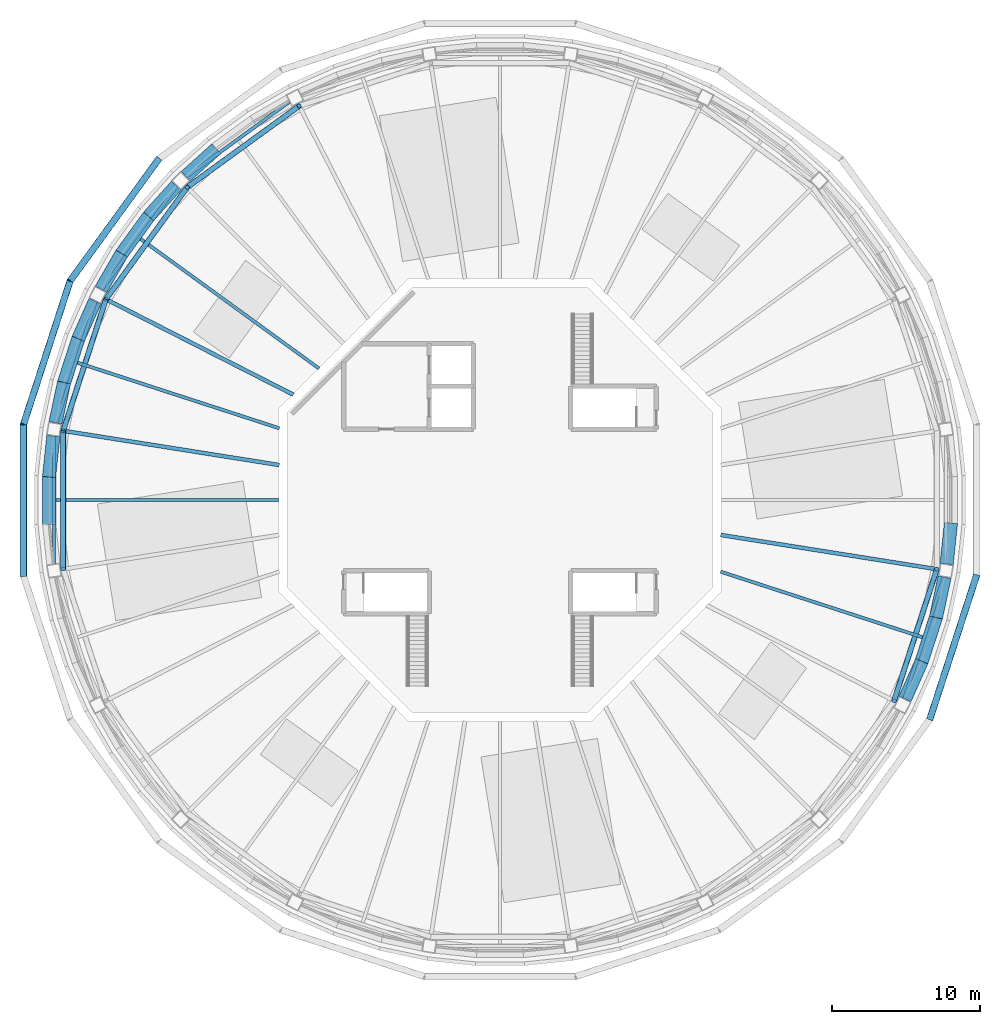
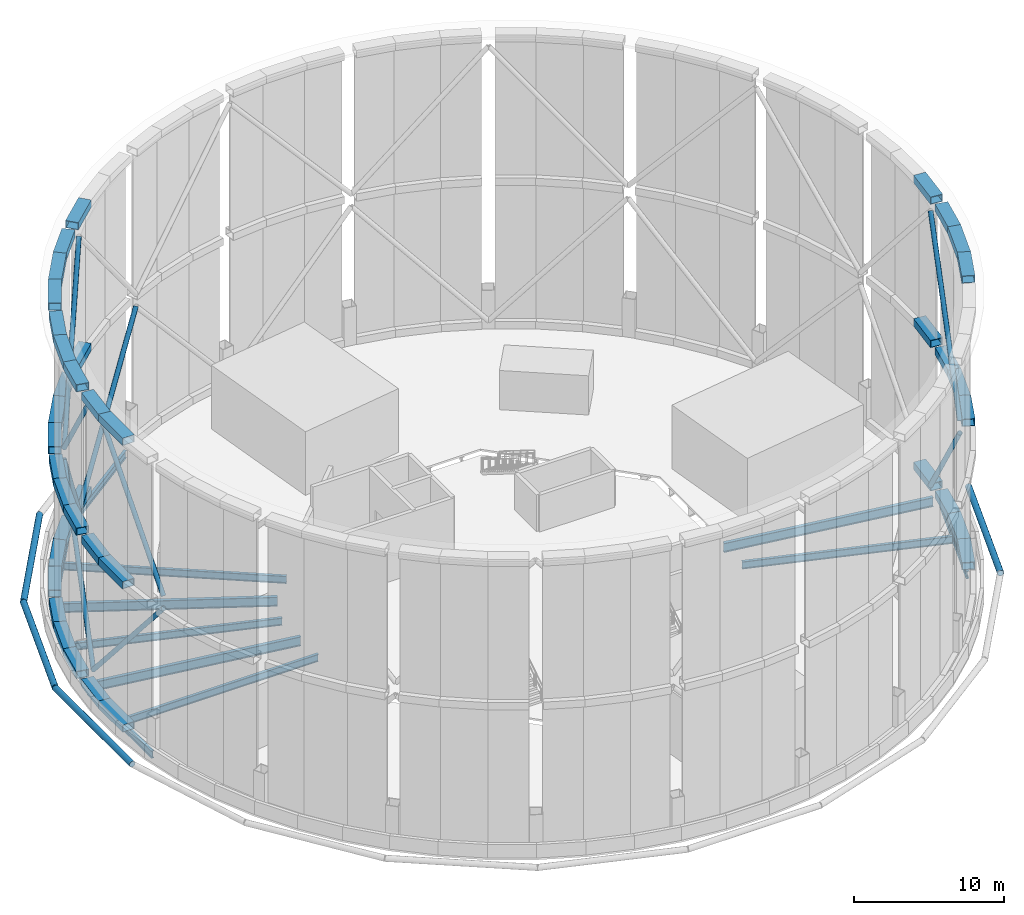
# One storey, part 3 of 11: 51 beams, 13 members.
"""IFC4 building model written with IfcOpenShell, lengths in metres."""

from ifc_helpers import new_model, si_unit, direction, frame, origin, origin_2d, place, context, subcontext, project, spatial, hollow_rectangle, circle, hollow_circle, i_section, extrude, material, material_profile, profile_set, type_object, element, save


model = new_model("IFC4")

# Units and contexts
model_context = context("Model", 3, precision=1e-05, world=origin(), true_north=direction((0.0, 1.0)))
body_context = subcontext(model_context, "Body", "Model", "MODEL_VIEW")
ifc_project = project(units=[si_unit("LENGTHUNIT", "METRE"), si_unit("AREAUNIT", "SQUARE_METRE"), si_unit("VOLUMEUNIT", "CUBIC_METRE"), si_unit("PLANEANGLEUNIT", "RADIAN"), si_unit("MASSUNIT", "GRAM", prefix="KILO")], contexts=[model_context])

# Site, building, storey
site_placement = place(None, origin())
site = spatial("IfcSite", under=ifc_project, at=site_placement, CompositionType="ELEMENT")
building_placement = place(site_placement, origin())
building = spatial("IfcBuilding", under=site, at=building_placement, Name="Entoto Ring Tower", CompositionType="ELEMENT")
storey_placement = place(building_placement, frame((0.0, 0.0, 415.0)))
storey = spatial("IfcBuildingStorey", under=building, at=storey_placement, Name="ROOF", CompositionType="ELEMENT", Elevation=415.0)

# Members
ifc_material_1 = material(Name="Steel S355", Category="steel")
ifc_material_profile_1 = material_profile(ifc_material_1, hollow_circle(Radius=0.177490234375, WallThickness=0.01611328125, at=origin_2d()), Name="Crown frame brace 355.6 x 16 mm tube")
ifc_profile_set_1 = profile_set([ifc_material_profile_1], Name="Steel S355")
member_type_1 = type_object("IfcMemberType", Name="Crown frame brace 355.6 x 16 mm tube", PredefinedType="BRACE", material=ifc_profile_set_1)
for number, where, z_axis, x_axis, name in (
    (1, (76.3916015625, 106.7080078125, 11.5), (-0.533248763598, -0.387431986141, -0.752025406643), (0.587789305023, -0.809014049878, 0.0), "CROWN FRAME BRACE 1-07"),
    (2, (68.804443359375, 101.195556640625, 0.800048828125), (-0.387431986141, -0.533248763598, 0.752025406643), (0.809014049878, -0.587789305023, 0.0), "CROWN FRAME BRACE 1-08"),
):
    element("IfcMember", number, at=place(storey_placement, frame(where, z_axis=z_axis, x_axis=x_axis)), inside=storey, type_object=member_type_1, Name=name, PredefinedType="BRACE", context=body_context, shape_type="SweptSolid", body=[
        extrude(hollow_circle(Radius=0.177490234375, WallThickness=0.01611328125, at=origin_2d()), origin(), (0.0, 0.0, 1.0), 14.228271484375),
    ])
member_1_placement = place(storey_placement, frame((63.2919921875, 93.6083984375, 11.5), z_axis=(-0.203677789835, -0.626871162261, -0.752029190825), x_axis=(0.951058744681, -0.309010136024, 0.0)))
element("IfcMember", 3, at=member_1_placement, inside=storey, type_object=member_type_1, Name="CROWN FRAME BRACE 1-09", PredefinedType="BRACE", context=body_context, shape_type="SweptSolid", body=[
    extrude(hollow_circle(Radius=0.177490234375, WallThickness=0.01611328125, at=origin_2d()), origin(), (0.0, 0.0, 1.0), 14.22802734375),
])
member_2_placement = place(storey_placement, frame((60.39404296875, 84.689208984375, 0.800048828125), z_axis=(0.0, -0.659139705863, 0.752020510461), x_axis=(1.0, 0.0, 0.0)))
element("IfcMember", 4, at=member_2_placement, inside=storey, type_object=member_type_1, Name="CROWN FRAME BRACE 1-10", PredefinedType="BRACE", context=body_context, shape_type="SweptSolid", body=[
    extrude(hollow_circle(Radius=0.177490234375, WallThickness=0.01611328125, at=origin_2d()), origin(), (0.0, 0.0, 1.0), 14.228271484375),
])
member_3_placement = place(storey_placement, frame((116.7080078125, 66.3916015625, 11.5), z_axis=(0.203677789835, 0.626871162261, -0.752029190825), x_axis=(-0.951058744681, 0.309010136024, 0.0)))
element("IfcMember", 5, at=member_3_placement, inside=storey, type_object=member_type_1, Name="CROWN FRAME BRACE 1-19", PredefinedType="BRACE", context=body_context, shape_type="SweptSolid", body=[
    extrude(hollow_circle(Radius=0.177490234375, WallThickness=0.01611328125, at=origin_2d()), origin(), (0.0, 0.0, 1.0), 14.22802734375),
])
member_4_placement = place(storey_placement, frame((68.804443359375, 101.195556640625, 23.199951171875), z_axis=(-0.387431986141, -0.533248763598, -0.752025406643), x_axis=(0.809014049878, -0.587789305023, 0.0)))
element("IfcMember", 6, at=member_4_placement, inside=storey, type_object=member_type_1, Name="CROWN FRAME BRACE 2-08", PredefinedType="BRACE", context=body_context, shape_type="SweptSolid", body=[
    extrude(hollow_circle(Radius=0.177490234375, WallThickness=0.01611328125, at=origin_2d()), origin(), (0.0, 0.0, 1.0), 14.228271484375),
])
member_5_placement = place(storey_placement, frame((63.2919921875, 93.6083984375, 12.5), z_axis=(-0.203677789835, -0.626871162261, 0.752029190825), x_axis=(0.951058744681, -0.309010136024, 0.0)))
element("IfcMember", 7, at=member_5_placement, inside=storey, type_object=member_type_1, Name="CROWN FRAME BRACE 2-09", PredefinedType="BRACE", context=body_context, shape_type="SweptSolid", body=[
    extrude(hollow_circle(Radius=0.177490234375, WallThickness=0.01611328125, at=origin_2d()), origin(), (0.0, 0.0, 1.0), 14.22802734375),
])
member_6_placement = place(storey_placement, frame((60.39404296875, 84.689208984375, 23.199951171875), z_axis=(0.0, -0.659139705863, -0.752020510461), x_axis=(1.0, 0.0, 0.0)))
element("IfcMember", 8, at=member_6_placement, inside=storey, type_object=member_type_1, Name="CROWN FRAME BRACE 2-10", PredefinedType="BRACE", context=body_context, shape_type="SweptSolid", body=[
    extrude(hollow_circle(Radius=0.177490234375, WallThickness=0.01611328125, at=origin_2d()), origin(), (0.0, 0.0, 1.0), 14.228271484375),
])
member_7_placement = place(storey_placement, frame((116.7080078125, 66.3916015625, 12.5), z_axis=(0.203677789835, 0.626871162261, 0.752029190825), x_axis=(-0.951058744681, 0.309010136024, 0.0)))
element("IfcMember", 9, at=member_7_placement, inside=storey, type_object=member_type_1, Name="CROWN FRAME BRACE 2-19", PredefinedType="BRACE", context=body_context, shape_type="SweptSolid", body=[
    extrude(hollow_circle(Radius=0.177490234375, WallThickness=0.01611328125, at=origin_2d()), origin(), (0.0, 0.0, 1.0), 14.22802734375),
])

# Beams
ifc_material_2 = material(Name="Steel S355", Category="steel")
ifc_material_profile_2 = material_profile(ifc_material_2, hollow_rectangle(XDim=0.89990234375, YDim=0.60009765625, WallThickness=0.0400390625, at=origin_2d()), Name="Crown frame ring beam 900 x 600 x 40 mm")
ifc_profile_set_2 = profile_set([ifc_material_profile_2], Name="Steel S355")
beam_type_1 = type_object("IfcBeamType", Name="Crown frame ring beam 900 x 600 x 40 mm", PredefinedType="BEAM", material=ifc_profile_set_2)
for number, where, z_axis, x_axis, name in (
    (10, (70.775146484375, 103.809814453125, 0.300048828125), (-0.743111798031, -0.669167285234, 0.0), (0.669167285234, -0.743111798031, 0.0), "CROWN FRAME BOTTOM RING 20"),
    (11, (68.0615234375, 101.302978515625, 0.300048828125), (-0.669167285234, -0.743111798031, 0.0), (0.743111798031, -0.669167285234, 0.0), "CROWN FRAME BOTTOM RING 21"),
):
    element("IfcBeam", number, at=place(storey_placement, frame(where, z_axis=z_axis, x_axis=x_axis)), inside=storey, type_object=beam_type_1, Name=name, PredefinedType="BEAM", context=body_context, shape_type="SweptSolid", body=[
        extrude(hollow_rectangle(XDim=0.89990234375, YDim=0.60009765625, WallThickness=0.0400390625, at=origin_2d()), origin(), (0.0, 0.0, 1.0), 2.796630859375),
    ])
beam_1_placement = place(storey_placement, frame((66.244873046875, 99.29248046875, 0.300048828125), z_axis=(-0.5877612999, -0.809034396265, 0.0), x_axis=(0.809034396265, -0.5877612999, 0.0)))
element("IfcBeam", 12, at=beam_1_placement, inside=storey, type_object=beam_type_1, Name="CROWN FRAME BOTTOM RING 22", PredefinedType="BEAM", context=body_context, shape_type="SweptSolid", body=[
    extrude(hollow_rectangle(XDim=0.89990234375, YDim=0.60009765625, WallThickness=0.0400390625, at=origin_2d()), origin(), (0.0, 0.0, 1.0), 3.290283203125),
])
for number, where, z_axis, x_axis, name in (
    (13, (64.3583984375, 96.70361328125, 0.300048828125), (-0.49997939631, -0.866037299004, 0.0), (0.866037299004, -0.49997939631, 0.0), "CROWN FRAME BOTTOM RING 23"),
    (14, (62.55224609375, 93.48095703125, 0.300048828125), (-0.406745899001, -0.913541336583, 0.0), (0.913541336583, -0.406745899001, 0.0), "CROWN FRAME BOTTOM RING 24"),
):
    element("IfcBeam", number, at=place(storey_placement, frame(where, z_axis=z_axis, x_axis=x_axis)), inside=storey, type_object=beam_type_1, Name=name, PredefinedType="BEAM", context=body_context, shape_type="SweptSolid", body=[
        extrude(hollow_rectangle(XDim=0.89990234375, YDim=0.60009765625, WallThickness=0.0400390625, at=origin_2d()), origin(), (0.0, 0.0, 1.0), 2.79638671875),
    ])
beam_2_placement = place(storey_placement, frame((61.44580078125, 91.007568359375, 0.300048828125), z_axis=(-0.308983720778, -0.951067326899, 0.0), x_axis=(0.951067326899, -0.308983720778, 0.0)))
element("IfcBeam", 15, at=beam_2_placement, inside=storey, type_object=beam_type_1, Name="CROWN FRAME BOTTOM RING 25", PredefinedType="BEAM", context=body_context, shape_type="SweptSolid", body=[
    extrude(hollow_rectangle(XDim=0.89990234375, YDim=0.60009765625, WallThickness=0.0400390625, at=origin_2d()), origin(), (0.0, 0.0, 1.0), 3.2900390625),
])
beam_3_placement = place(storey_placement, frame((60.45166015625, 87.96240234375, 0.300048828125), z_axis=(-0.207871285632, -0.978156188249, 0.0), x_axis=(0.978156188249, -0.207871285632, 0.0)))
element("IfcBeam", 16, at=beam_3_placement, inside=storey, type_object=beam_type_1, Name="CROWN FRAME BOTTOM RING 26", PredefinedType="BEAM", context=body_context, shape_type="SweptSolid", body=[
    extrude(hollow_rectangle(XDim=0.89990234375, YDim=0.60009765625, WallThickness=0.0400390625, at=origin_2d()), origin(), (0.0, 0.0, 1.0), 2.79638671875),
])
beam_4_placement = place(storey_placement, frame((59.729736328125, 84.33935546875, 0.300048828125), z_axis=(-0.104498462309, -0.994525048139, 0.0), x_axis=(0.994525048139, -0.104498462309, 0.0)))
element("IfcBeam", 17, at=beam_4_placement, inside=storey, type_object=beam_type_1, Name="CROWN FRAME BOTTOM RING 27", PredefinedType="BEAM", context=body_context, shape_type="SweptSolid", body=[
    extrude(hollow_rectangle(XDim=0.89990234375, YDim=0.60009765625, WallThickness=0.0400390625, at=origin_2d()), origin(), (0.0, 0.0, 1.0), 2.796630859375),
])
beam_5_placement = place(storey_placement, frame((59.44189453125, 81.64501953125, 0.300048828125), z_axis=(0.0, -1.0, 0.0), x_axis=(1.0, 0.0, 0.0)))
element("IfcBeam", 18, at=beam_5_placement, inside=storey, type_object=beam_type_1, Name="CROWN FRAME BOTTOM RING 28", PredefinedType="BEAM", context=body_context, shape_type="SweptSolid", body=[
    extrude(hollow_rectangle(XDim=0.89990234375, YDim=0.60009765625, WallThickness=0.0400390625, at=origin_2d()), origin(), (0.0, 0.0, 1.0), 3.2900390625),
])
beam_6_placement = place(storey_placement, frame((117.44775390625, 66.51904296875, 0.300048828125), z_axis=(0.406745899001, 0.913541336583, 0.0), x_axis=(-0.913541336583, 0.406745899001, 0.0)))
element("IfcBeam", 19, at=beam_6_placement, inside=storey, type_object=beam_type_1, Name="CROWN FRAME BOTTOM RING 54", PredefinedType="BEAM", context=body_context, shape_type="SweptSolid", body=[
    extrude(hollow_rectangle(XDim=0.89990234375, YDim=0.60009765625, WallThickness=0.0400390625, at=origin_2d()), origin(), (0.0, 0.0, 1.0), 2.79638671875),
])
beam_7_placement = place(storey_placement, frame((118.55419921875, 68.992431640625, 0.300048828125), z_axis=(0.308983720778, 0.951067326899, 0.0), x_axis=(-0.951067326899, 0.308983720778, 0.0)))
element("IfcBeam", 20, at=beam_7_placement, inside=storey, type_object=beam_type_1, Name="CROWN FRAME BOTTOM RING 55", PredefinedType="BEAM", context=body_context, shape_type="SweptSolid", body=[
    extrude(hollow_rectangle(XDim=0.89990234375, YDim=0.60009765625, WallThickness=0.0400390625, at=origin_2d()), origin(), (0.0, 0.0, 1.0), 3.2900390625),
])
beam_8_placement = place(storey_placement, frame((119.54833984375, 72.03759765625, 0.300048828125), z_axis=(0.207871285632, 0.978156188249, 0.0), x_axis=(-0.978156188249, 0.207871285632, 0.0)))
element("IfcBeam", 21, at=beam_8_placement, inside=storey, type_object=beam_type_1, Name="CROWN FRAME BOTTOM RING 56", PredefinedType="BEAM", context=body_context, shape_type="SweptSolid", body=[
    extrude(hollow_rectangle(XDim=0.89990234375, YDim=0.60009765625, WallThickness=0.0400390625, at=origin_2d()), origin(), (0.0, 0.0, 1.0), 2.79638671875),
])
for number, where, z_axis, x_axis, name in (
    (22, (120.270263671875, 75.66064453125, 0.300048828125), (0.104498462309, 0.994525048139, 0.0), (-0.994525048139, 0.104498462309, 0.0), "CROWN FRAME BOTTOM RING 57"),
    (23, (70.775146484375, 103.809814453125, 12.0), (-0.743111798031, -0.669167285234, 0.0), (0.669167285234, -0.743111798031, 0.0), "CROWN FRAME MIDDLE RING 20"),
    (24, (68.0615234375, 101.302978515625, 12.0), (-0.669167285234, -0.743111798031, 0.0), (0.743111798031, -0.669167285234, 0.0), "CROWN FRAME MIDDLE RING 21"),
):
    element("IfcBeam", number, at=place(storey_placement, frame(where, z_axis=z_axis, x_axis=x_axis)), inside=storey, type_object=beam_type_1, Name=name, PredefinedType="BEAM", context=body_context, shape_type="SweptSolid", body=[
        extrude(hollow_rectangle(XDim=0.89990234375, YDim=0.60009765625, WallThickness=0.0400390625, at=origin_2d()), origin(), (0.0, 0.0, 1.0), 2.796630859375),
    ])
beam_9_placement = place(storey_placement, frame((66.244873046875, 99.29248046875, 12.0), z_axis=(-0.5877612999, -0.809034396265, 0.0), x_axis=(0.809034396265, -0.5877612999, 0.0)))
element("IfcBeam", 25, at=beam_9_placement, inside=storey, type_object=beam_type_1, Name="CROWN FRAME MIDDLE RING 22", PredefinedType="BEAM", context=body_context, shape_type="SweptSolid", body=[
    extrude(hollow_rectangle(XDim=0.89990234375, YDim=0.60009765625, WallThickness=0.0400390625, at=origin_2d()), origin(), (0.0, 0.0, 1.0), 3.290283203125),
])
for number, where, z_axis, x_axis, name in (
    (26, (64.3583984375, 96.70361328125, 12.0), (-0.49997939631, -0.866037299004, 0.0), (0.866037299004, -0.49997939631, 0.0), "CROWN FRAME MIDDLE RING 23"),
    (27, (62.55224609375, 93.48095703125, 12.0), (-0.406745899001, -0.913541336583, 0.0), (0.913541336583, -0.406745899001, 0.0), "CROWN FRAME MIDDLE RING 24"),
):
    element("IfcBeam", number, at=place(storey_placement, frame(where, z_axis=z_axis, x_axis=x_axis)), inside=storey, type_object=beam_type_1, Name=name, PredefinedType="BEAM", context=body_context, shape_type="SweptSolid", body=[
        extrude(hollow_rectangle(XDim=0.89990234375, YDim=0.60009765625, WallThickness=0.0400390625, at=origin_2d()), origin(), (0.0, 0.0, 1.0), 2.79638671875),
    ])
beam_10_placement = place(storey_placement, frame((61.44580078125, 91.007568359375, 12.0), z_axis=(-0.308983720778, -0.951067326899, 0.0), x_axis=(0.951067326899, -0.308983720778, 0.0)))
element("IfcBeam", 28, at=beam_10_placement, inside=storey, type_object=beam_type_1, Name="CROWN FRAME MIDDLE RING 25", PredefinedType="BEAM", context=body_context, shape_type="SweptSolid", body=[
    extrude(hollow_rectangle(XDim=0.89990234375, YDim=0.60009765625, WallThickness=0.0400390625, at=origin_2d()), origin(), (0.0, 0.0, 1.0), 3.2900390625),
])
beam_11_placement = place(storey_placement, frame((60.45166015625, 87.96240234375, 12.0), z_axis=(-0.207871285632, -0.978156188249, 0.0), x_axis=(0.978156188249, -0.207871285632, 0.0)))
element("IfcBeam", 29, at=beam_11_placement, inside=storey, type_object=beam_type_1, Name="CROWN FRAME MIDDLE RING 26", PredefinedType="BEAM", context=body_context, shape_type="SweptSolid", body=[
    extrude(hollow_rectangle(XDim=0.89990234375, YDim=0.60009765625, WallThickness=0.0400390625, at=origin_2d()), origin(), (0.0, 0.0, 1.0), 2.79638671875),
])
beam_12_placement = place(storey_placement, frame((59.729736328125, 84.33935546875, 12.0), z_axis=(-0.104498462309, -0.994525048139, 0.0), x_axis=(0.994525048139, -0.104498462309, 0.0)))
element("IfcBeam", 30, at=beam_12_placement, inside=storey, type_object=beam_type_1, Name="CROWN FRAME MIDDLE RING 27", PredefinedType="BEAM", context=body_context, shape_type="SweptSolid", body=[
    extrude(hollow_rectangle(XDim=0.89990234375, YDim=0.60009765625, WallThickness=0.0400390625, at=origin_2d()), origin(), (0.0, 0.0, 1.0), 2.796630859375),
])
beam_13_placement = place(storey_placement, frame((59.44189453125, 81.64501953125, 12.0), z_axis=(0.0, -1.0, 0.0), x_axis=(1.0, 0.0, 0.0)))
element("IfcBeam", 31, at=beam_13_placement, inside=storey, type_object=beam_type_1, Name="CROWN FRAME MIDDLE RING 28", PredefinedType="BEAM", context=body_context, shape_type="SweptSolid", body=[
    extrude(hollow_rectangle(XDim=0.89990234375, YDim=0.60009765625, WallThickness=0.0400390625, at=origin_2d()), origin(), (0.0, 0.0, 1.0), 3.2900390625),
])
beam_14_placement = place(storey_placement, frame((117.44775390625, 66.51904296875, 12.0), z_axis=(0.406745899001, 0.913541336583, 0.0), x_axis=(-0.913541336583, 0.406745899001, 0.0)))
element("IfcBeam", 32, at=beam_14_placement, inside=storey, type_object=beam_type_1, Name="CROWN FRAME MIDDLE RING 54", PredefinedType="BEAM", context=body_context, shape_type="SweptSolid", body=[
    extrude(hollow_rectangle(XDim=0.89990234375, YDim=0.60009765625, WallThickness=0.0400390625, at=origin_2d()), origin(), (0.0, 0.0, 1.0), 2.79638671875),
])
beam_15_placement = place(storey_placement, frame((118.55419921875, 68.992431640625, 12.0), z_axis=(0.308983720778, 0.951067326899, 0.0), x_axis=(-0.951067326899, 0.308983720778, 0.0)))
element("IfcBeam", 33, at=beam_15_placement, inside=storey, type_object=beam_type_1, Name="CROWN FRAME MIDDLE RING 55", PredefinedType="BEAM", context=body_context, shape_type="SweptSolid", body=[
    extrude(hollow_rectangle(XDim=0.89990234375, YDim=0.60009765625, WallThickness=0.0400390625, at=origin_2d()), origin(), (0.0, 0.0, 1.0), 3.2900390625),
])
beam_16_placement = place(storey_placement, frame((119.54833984375, 72.03759765625, 12.0), z_axis=(0.207871285632, 0.978156188249, 0.0), x_axis=(-0.978156188249, 0.207871285632, 0.0)))
element("IfcBeam", 34, at=beam_16_placement, inside=storey, type_object=beam_type_1, Name="CROWN FRAME MIDDLE RING 56", PredefinedType="BEAM", context=body_context, shape_type="SweptSolid", body=[
    extrude(hollow_rectangle(XDim=0.89990234375, YDim=0.60009765625, WallThickness=0.0400390625, at=origin_2d()), origin(), (0.0, 0.0, 1.0), 2.79638671875),
])
for number, where, z_axis, x_axis, name in (
    (35, (120.270263671875, 75.66064453125, 12.0), (0.104498462309, 0.994525048139, 0.0), (-0.994525048139, 0.104498462309, 0.0), "CROWN FRAME MIDDLE RING 57"),
    (36, (70.775146484375, 103.809814453125, 23.699951171875), (-0.743111798031, -0.669167285234, 0.0), (0.669167285234, -0.743111798031, 0.0), "CROWN FRAME TOP RING 20"),
    (37, (68.0615234375, 101.302978515625, 23.699951171875), (-0.669167285234, -0.743111798031, 0.0), (0.743111798031, -0.669167285234, 0.0), "CROWN FRAME TOP RING 21"),
):
    element("IfcBeam", number, at=place(storey_placement, frame(where, z_axis=z_axis, x_axis=x_axis)), inside=storey, type_object=beam_type_1, Name=name, PredefinedType="BEAM", context=body_context, shape_type="SweptSolid", body=[
        extrude(hollow_rectangle(XDim=0.89990234375, YDim=0.60009765625, WallThickness=0.0400390625, at=origin_2d()), origin(), (0.0, 0.0, 1.0), 2.796630859375),
    ])
beam_17_placement = place(storey_placement, frame((66.244873046875, 99.29248046875, 23.699951171875), z_axis=(-0.5877612999, -0.809034396265, 0.0), x_axis=(0.809034396265, -0.5877612999, 0.0)))
element("IfcBeam", 38, at=beam_17_placement, inside=storey, type_object=beam_type_1, Name="CROWN FRAME TOP RING 22", PredefinedType="BEAM", context=body_context, shape_type="SweptSolid", body=[
    extrude(hollow_rectangle(XDim=0.89990234375, YDim=0.60009765625, WallThickness=0.0400390625, at=origin_2d()), origin(), (0.0, 0.0, 1.0), 3.290283203125),
])
for number, where, z_axis, x_axis, name in (
    (39, (64.3583984375, 96.70361328125, 23.699951171875), (-0.49997939631, -0.866037299004, 0.0), (0.866037299004, -0.49997939631, 0.0), "CROWN FRAME TOP RING 23"),
    (40, (62.55224609375, 93.48095703125, 23.699951171875), (-0.406745899001, -0.913541336583, 0.0), (0.913541336583, -0.406745899001, 0.0), "CROWN FRAME TOP RING 24"),
):
    element("IfcBeam", number, at=place(storey_placement, frame(where, z_axis=z_axis, x_axis=x_axis)), inside=storey, type_object=beam_type_1, Name=name, PredefinedType="BEAM", context=body_context, shape_type="SweptSolid", body=[
        extrude(hollow_rectangle(XDim=0.89990234375, YDim=0.60009765625, WallThickness=0.0400390625, at=origin_2d()), origin(), (0.0, 0.0, 1.0), 2.79638671875),
    ])
beam_18_placement = place(storey_placement, frame((61.44580078125, 91.007568359375, 23.699951171875), z_axis=(-0.308983720778, -0.951067326899, 0.0), x_axis=(0.951067326899, -0.308983720778, 0.0)))
element("IfcBeam", 41, at=beam_18_placement, inside=storey, type_object=beam_type_1, Name="CROWN FRAME TOP RING 25", PredefinedType="BEAM", context=body_context, shape_type="SweptSolid", body=[
    extrude(hollow_rectangle(XDim=0.89990234375, YDim=0.60009765625, WallThickness=0.0400390625, at=origin_2d()), origin(), (0.0, 0.0, 1.0), 3.2900390625),
])
beam_19_placement = place(storey_placement, frame((60.45166015625, 87.96240234375, 23.699951171875), z_axis=(-0.207871285632, -0.978156188249, 0.0), x_axis=(0.978156188249, -0.207871285632, 0.0)))
element("IfcBeam", 42, at=beam_19_placement, inside=storey, type_object=beam_type_1, Name="CROWN FRAME TOP RING 26", PredefinedType="BEAM", context=body_context, shape_type="SweptSolid", body=[
    extrude(hollow_rectangle(XDim=0.89990234375, YDim=0.60009765625, WallThickness=0.0400390625, at=origin_2d()), origin(), (0.0, 0.0, 1.0), 2.79638671875),
])
beam_20_placement = place(storey_placement, frame((59.729736328125, 84.33935546875, 23.699951171875), z_axis=(-0.104498462309, -0.994525048139, 0.0), x_axis=(0.994525048139, -0.104498462309, 0.0)))
element("IfcBeam", 43, at=beam_20_placement, inside=storey, type_object=beam_type_1, Name="CROWN FRAME TOP RING 27", PredefinedType="BEAM", context=body_context, shape_type="SweptSolid", body=[
    extrude(hollow_rectangle(XDim=0.89990234375, YDim=0.60009765625, WallThickness=0.0400390625, at=origin_2d()), origin(), (0.0, 0.0, 1.0), 2.796630859375),
])
beam_21_placement = place(storey_placement, frame((59.44189453125, 81.64501953125, 23.699951171875), z_axis=(0.0, -1.0, 0.0), x_axis=(1.0, 0.0, 0.0)))
element("IfcBeam", 44, at=beam_21_placement, inside=storey, type_object=beam_type_1, Name="CROWN FRAME TOP RING 28", PredefinedType="BEAM", context=body_context, shape_type="SweptSolid", body=[
    extrude(hollow_rectangle(XDim=0.89990234375, YDim=0.60009765625, WallThickness=0.0400390625, at=origin_2d()), origin(), (0.0, 0.0, 1.0), 3.2900390625),
])
beam_22_placement = place(storey_placement, frame((117.44775390625, 66.51904296875, 23.699951171875), z_axis=(0.406745899001, 0.913541336583, 0.0), x_axis=(-0.913541336583, 0.406745899001, 0.0)))
element("IfcBeam", 45, at=beam_22_placement, inside=storey, type_object=beam_type_1, Name="CROWN FRAME TOP RING 54", PredefinedType="BEAM", context=body_context, shape_type="SweptSolid", body=[
    extrude(hollow_rectangle(XDim=0.89990234375, YDim=0.60009765625, WallThickness=0.0400390625, at=origin_2d()), origin(), (0.0, 0.0, 1.0), 2.79638671875),
])
beam_23_placement = place(storey_placement, frame((118.55419921875, 68.992431640625, 23.699951171875), z_axis=(0.308983720778, 0.951067326899, 0.0), x_axis=(-0.951067326899, 0.308983720778, 0.0)))
element("IfcBeam", 46, at=beam_23_placement, inside=storey, type_object=beam_type_1, Name="CROWN FRAME TOP RING 55", PredefinedType="BEAM", context=body_context, shape_type="SweptSolid", body=[
    extrude(hollow_rectangle(XDim=0.89990234375, YDim=0.60009765625, WallThickness=0.0400390625, at=origin_2d()), origin(), (0.0, 0.0, 1.0), 3.2900390625),
])
beam_24_placement = place(storey_placement, frame((119.54833984375, 72.03759765625, 23.699951171875), z_axis=(0.207871285632, 0.978156188249, 0.0), x_axis=(-0.978156188249, 0.207871285632, 0.0)))
element("IfcBeam", 47, at=beam_24_placement, inside=storey, type_object=beam_type_1, Name="CROWN FRAME TOP RING 56", PredefinedType="BEAM", context=body_context, shape_type="SweptSolid", body=[
    extrude(hollow_rectangle(XDim=0.89990234375, YDim=0.60009765625, WallThickness=0.0400390625, at=origin_2d()), origin(), (0.0, 0.0, 1.0), 2.79638671875),
])
beam_25_placement = place(storey_placement, frame((120.270263671875, 75.66064453125, 23.699951171875), z_axis=(0.104498462309, 0.994525048139, 0.0), x_axis=(-0.994525048139, 0.104498462309, 0.0)))
element("IfcBeam", 48, at=beam_25_placement, inside=storey, type_object=beam_type_1, Name="CROWN FRAME TOP RING 57", PredefinedType="BEAM", context=body_context, shape_type="SweptSolid", body=[
    extrude(hollow_rectangle(XDim=0.89990234375, YDim=0.60009765625, WallThickness=0.0400390625, at=origin_2d()), origin(), (0.0, 0.0, 1.0), 2.796630859375),
])

# Members
ifc_material_3 = material(Name="Steel S355", Category="steel")
ifc_material_profile_3 = material_profile(ifc_material_3, hollow_circle(Radius=0.228515625, WallThickness=0.02001953125, at=origin_2d()), Name="CHS 457 x 20")
ifc_material_4 = material(Name="Concrete C60/75", Category="concrete")
ifc_material_profile_4 = material_profile(ifc_material_4, circle(Radius=0.20849609375, at=origin_2d()), Name="Concrete C60/75 infill")
ifc_profile_set_3 = profile_set([ifc_material_profile_3, ifc_material_profile_4], Name="Steel S355")
member_type_2 = type_object("IfcMemberType", Name="Diagrid ring beam 457 x 20", PredefinedType="CHORD", material=ifc_profile_set_3)
member_8_placement = place(storey_placement, frame((66.91064453125, 103.16796875, 0.0), z_axis=(-0.587781465034, -0.809019745966, 0.0), x_axis=(0.809019745966, -0.587781465034, 0.0)))
element("IfcMember", 49, at=member_8_placement, inside=storey, type_object=member_type_2, Name="DR3 ring 30 08", PredefinedType="CHORD", context=body_context, shape_type="SweptSolid", body=[
    extrude(hollow_circle(Radius=0.228515625, WallThickness=0.02001953125, at=origin_2d()), origin(), (0.0, 0.0, 1.0), 10.34326171875),
])
member_9_placement = place(storey_placement, frame((60.88134765625, 94.89892578125, 0.0), z_axis=(-0.309002809244, -0.951061125206, 0.0), x_axis=(0.951061125206, -0.309002809244, 0.0)))
element("IfcMember", 50, at=member_9_placement, inside=storey, type_object=member_type_2, Name="DR3 ring 30 09", PredefinedType="CHORD", context=body_context, shape_type="SweptSolid", body=[
    extrude(hollow_circle(Radius=0.228515625, WallThickness=0.02001953125, at=origin_2d()), origin(), (0.0, 0.0, 1.0), 10.343017578125),
])
member_10_placement = place(storey_placement, frame((57.70263671875, 85.171630859375, 0.0), z_axis=(0.0, -1.0, 0.0), x_axis=(1.0, 0.0, 0.0)))
element("IfcMember", 51, at=member_10_placement, inside=storey, type_object=member_type_2, Name="DR3 ring 30 10", PredefinedType="CHORD", context=body_context, shape_type="SweptSolid", body=[
    extrude(hollow_circle(Radius=0.228515625, WallThickness=0.02001953125, at=origin_2d()), origin(), (0.0, 0.0, 1.0), 10.34326171875),
])
member_11_placement = place(storey_placement, frame((119.11865234375, 65.10107421875, 0.0), z_axis=(0.309002809244, 0.951061125206, 0.0), x_axis=(-0.951061125206, 0.309002809244, 0.0)))
element("IfcMember", 52, at=member_11_placement, inside=storey, type_object=member_type_2, Name="DR3 ring 30 19", PredefinedType="CHORD", context=body_context, shape_type="SweptSolid", body=[
    extrude(hollow_circle(Radius=0.228515625, WallThickness=0.02001953125, at=origin_2d()), origin(), (0.0, 0.0, 1.0), 10.343017578125),
])

# Beams
ifc_material_5 = material(Name="Steel S355", Category="steel")
ifc_material_profile_5 = material_profile(ifc_material_5, i_section(OverallWidth=0.219970703125, OverallDepth=0.60009765625, WebThickness=0.011962890625, FlangeThickness=0.01904296875, FilletRadius=0.02392578125, at=origin_2d()), Name="IPE 600")
ifc_profile_set_4 = profile_set([ifc_material_profile_5], Name="Steel S355")
beam_type_2 = type_object("IfcBeamType", Name="Edge beam IPE 600", PredefinedType="SPANDREL", material=ifc_profile_set_4)
for number, where, z_axis, x_axis, name in (
    (53, (75.7294921875, 106.989990234375, -0.449951171875), (-0.809007315996, -0.587798573208, 0.0), (0.587798573208, -0.809007315996, 0.0), "Edge beam ROOF 07"),
    (54, (68.087646484375, 101.259033203125, -0.449951171875), (-0.587798573208, -0.809007315996, 0.0), (0.809007315996, -0.587798573208, 0.0), "Edge beam ROOF 08"),
    (55, (62.590576171875, 93.447265625, -0.449951171875), (-0.309020248661, -0.951055458907, 0.0), (0.951055458907, -0.309020248661, 0.0), "Edge beam ROOF 09"),
):
    element("IfcBeam", number, at=place(storey_placement, frame(where, z_axis=z_axis, x_axis=x_axis)), inside=storey, type_object=beam_type_2, Name=name, PredefinedType="SPANDREL", context=body_context, shape_type="SweptSolid", body=[
        extrude(i_section(OverallWidth=0.219970703125, OverallDepth=0.60009765625, WebThickness=0.011962890625, FlangeThickness=0.01904296875, FilletRadius=0.02392578125, at=origin_2d()), origin(), (0.0, 0.0, 1.0), 8.638427734375),
    ])
beam_26_placement = place(storey_placement, frame((59.77685546875, 84.319091796875, -0.449951171875), z_axis=(0.0, -1.0, 0.0), x_axis=(1.0, 0.0, 0.0)))
element("IfcBeam", 56, at=beam_26_placement, inside=storey, type_object=beam_type_2, Name="Edge beam ROOF 10", PredefinedType="SPANDREL", context=body_context, shape_type="SweptSolid", body=[
    extrude(i_section(OverallWidth=0.219970703125, OverallDepth=0.60009765625, WebThickness=0.011962890625, FlangeThickness=0.01904296875, FilletRadius=0.02392578125, at=origin_2d()), origin(), (0.0, 0.0, 1.0), 8.63818359375),
])
beam_27_placement = place(storey_placement, frame((117.409423828125, 66.552734375, -0.449951171875), z_axis=(0.309020248661, 0.951055458907, 0.0), x_axis=(-0.951055458907, 0.309020248661, 0.0)))
element("IfcBeam", 57, at=beam_27_placement, inside=storey, type_object=beam_type_2, Name="Edge beam ROOF 19", PredefinedType="SPANDREL", context=body_context, shape_type="SweptSolid", body=[
    extrude(i_section(OverallWidth=0.219970703125, OverallDepth=0.60009765625, WebThickness=0.011962890625, FlangeThickness=0.01904296875, FilletRadius=0.02392578125, at=origin_2d()), origin(), (0.0, 0.0, 1.0), 8.638427734375),
])
ifc_material_6 = material(Name="Steel S355", Category="steel")
ifc_material_profile_6 = material_profile(ifc_material_6, i_section(OverallWidth=0.262939453125, OverallDepth=0.7529296875, WebThickness=0.011474609375, FlangeThickness=0.01708984375, FilletRadius=0.01708984375, at=origin_2d()), Name="IPE 750 x 137")
ifc_profile_set_5 = profile_set([ifc_material_profile_6], Name="Steel S355")
beam_type_3 = type_object("IfcBeamType", Name="Primary floor beam IPE 750 x 137", PredefinedType="BEAM", material=ifc_profile_set_5)
beam_28_placement = place(storey_placement, frame((76.0029296875, 87.1318359375, -0.526611328125), z_axis=(-0.891007082672, 0.453989403652, 0.0), x_axis=(-0.453989403652, -0.891007082672, 0.0)))
element("IfcBeam", 58, at=beam_28_placement, inside=storey, type_object=beam_type_3, Name="Primary ROOF R09", PredefinedType="BEAM", context=body_context, shape_type="SweptSolid", body=[
    extrude(i_section(OverallWidth=0.262939453125, OverallDepth=0.7529296875, WebThickness=0.011474609375, FlangeThickness=0.01708984375, FilletRadius=0.01708984375, at=origin_2d()), origin(), (0.0, 0.0, 1.0), 14.42822265625),
])
for number, where, z_axis, x_axis, name in (
    (59, (75.040283203125, 82.369384765625, -0.526611328125), (-0.987687983091, 0.156436722214, 0.0), (-0.156436722214, -0.987687983091, 0.0), "Primary ROOF R10"),
    (60, (104.959716796875, 77.630615234375, -0.526611328125), (0.987687983091, -0.156436722214, 0.0), (0.156436722214, 0.987687983091, 0.0), "Primary ROOF R20"),
):
    element("IfcBeam", number, at=place(storey_placement, frame(where, z_axis=z_axis, x_axis=x_axis)), inside=storey, type_object=beam_type_3, Name=name, PredefinedType="BEAM", context=body_context, shape_type="SweptSolid", body=[
        extrude(i_section(OverallWidth=0.262939453125, OverallDepth=0.7529296875, WebThickness=0.011474609375, FlangeThickness=0.01708984375, FilletRadius=0.01708984375, at=origin_2d()), origin(), (0.0, 0.0, 1.0), 14.991455078125),
    ])
ifc_material_7 = material(Name="Steel S355", Category="steel")
ifc_material_profile_7 = material_profile(ifc_material_7, i_section(OverallWidth=0.219970703125, OverallDepth=0.60009765625, WebThickness=0.011962890625, FlangeThickness=0.01904296875, FilletRadius=0.02392578125, at=origin_2d()), Name="IPE 600")
ifc_profile_set_6 = profile_set([ifc_material_profile_7], Name="Steel S355")
beam_type_4 = type_object("IfcBeamType", Name="Secondary floor beam IPE 600", PredefinedType="JOIST", material=ifc_profile_set_6)
beam_29_placement = place(storey_placement, frame((77.74365234375, 88.90478515625, -0.449951171875), z_axis=(-0.809013978227, 0.587789403642, 0.0), x_axis=(-0.587789403642, -0.809013978227, 0.0)))
element("IfcBeam", 61, at=beam_29_placement, inside=storey, type_object=beam_type_4, Name="Secondary beam ROOF 08", PredefinedType="JOIST", context=body_context, shape_type="SweptSolid", body=[
    extrude(i_section(OverallWidth=0.219970703125, OverallDepth=0.60009765625, WebThickness=0.011962890625, FlangeThickness=0.01904296875, FilletRadius=0.02392578125, at=origin_2d()), origin(), (0.0, 0.0, 1.0), 14.963623046875),
])
beam_30_placement = place(storey_placement, frame((75.052978515625, 84.856689453125, -0.449951171875), z_axis=(-0.95106048451, 0.309004781199, 0.0), x_axis=(-0.309004781199, -0.95106048451, 0.0)))
element("IfcBeam", 62, at=beam_30_placement, inside=storey, type_object=beam_type_4, Name="Secondary beam ROOF 09", PredefinedType="JOIST", context=body_context, shape_type="SweptSolid", body=[
    extrude(i_section(OverallWidth=0.219970703125, OverallDepth=0.60009765625, WebThickness=0.011962890625, FlangeThickness=0.01904296875, FilletRadius=0.02392578125, at=origin_2d()), origin(), (0.0, 0.0, 1.0), 14.39697265625),
])
beam_31_placement = place(storey_placement, frame((75.02001953125, 80.0, -0.449951171875), z_axis=(-1.0, 0.0, 0.0), x_axis=(0.0, -1.0, 0.0)))
element("IfcBeam", 63, at=beam_31_placement, inside=storey, type_object=beam_type_4, Name="Secondary beam ROOF 10", PredefinedType="JOIST", context=body_context, shape_type="SweptSolid", body=[
    extrude(i_section(OverallWidth=0.219970703125, OverallDepth=0.60009765625, WebThickness=0.011962890625, FlangeThickness=0.01904296875, FilletRadius=0.02392578125, at=origin_2d()), origin(), (0.0, 0.0, 1.0), 15.13330078125),
])
beam_32_placement = place(storey_placement, frame((104.947021484375, 75.143310546875, -0.449951171875), z_axis=(0.95106048451, -0.309004781199, 0.0), x_axis=(0.309004781199, 0.95106048451, 0.0)))
element("IfcBeam", 64, at=beam_32_placement, inside=storey, type_object=beam_type_4, Name="Secondary beam ROOF 19", PredefinedType="JOIST", context=body_context, shape_type="SweptSolid", body=[
    extrude(i_section(OverallWidth=0.219970703125, OverallDepth=0.60009765625, WebThickness=0.011962890625, FlangeThickness=0.01904296875, FilletRadius=0.02392578125, at=origin_2d()), origin(), (0.0, 0.0, 1.0), 14.39697265625),
])

save(model, "model.ifc")
